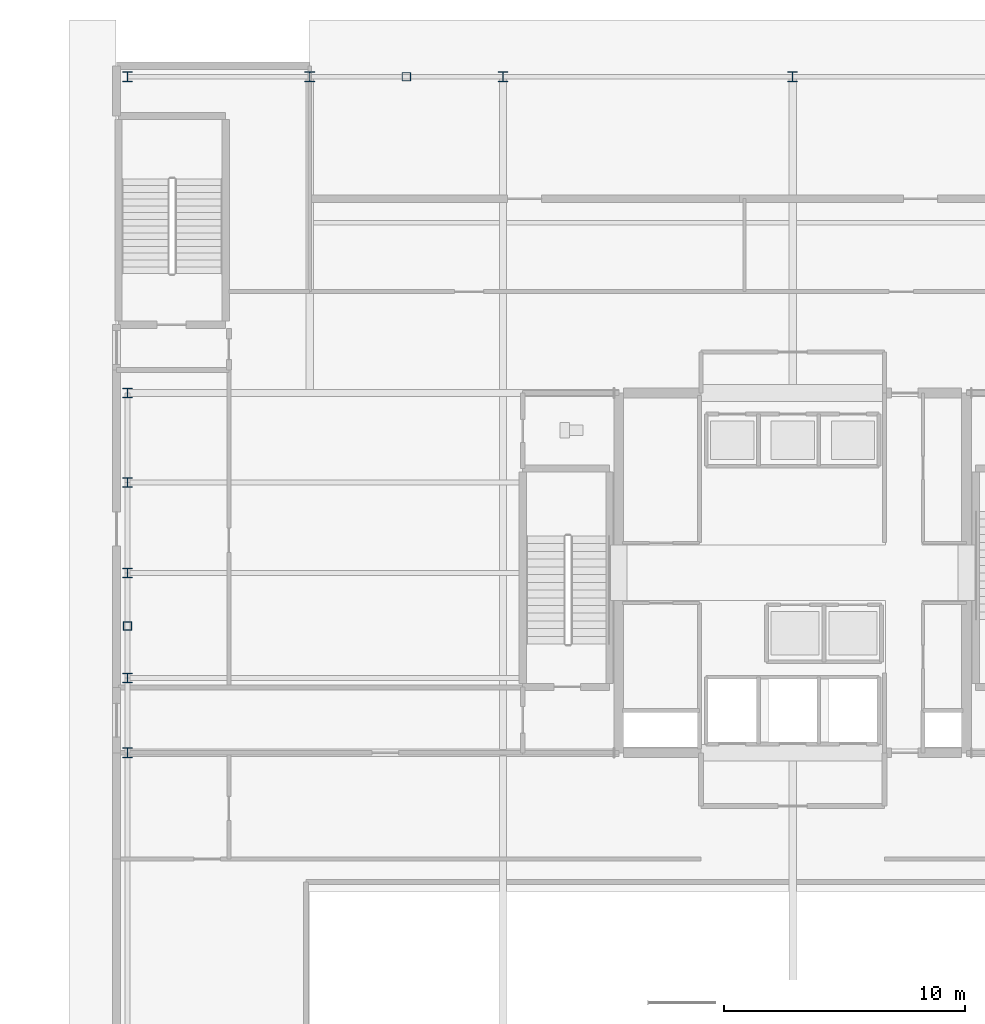
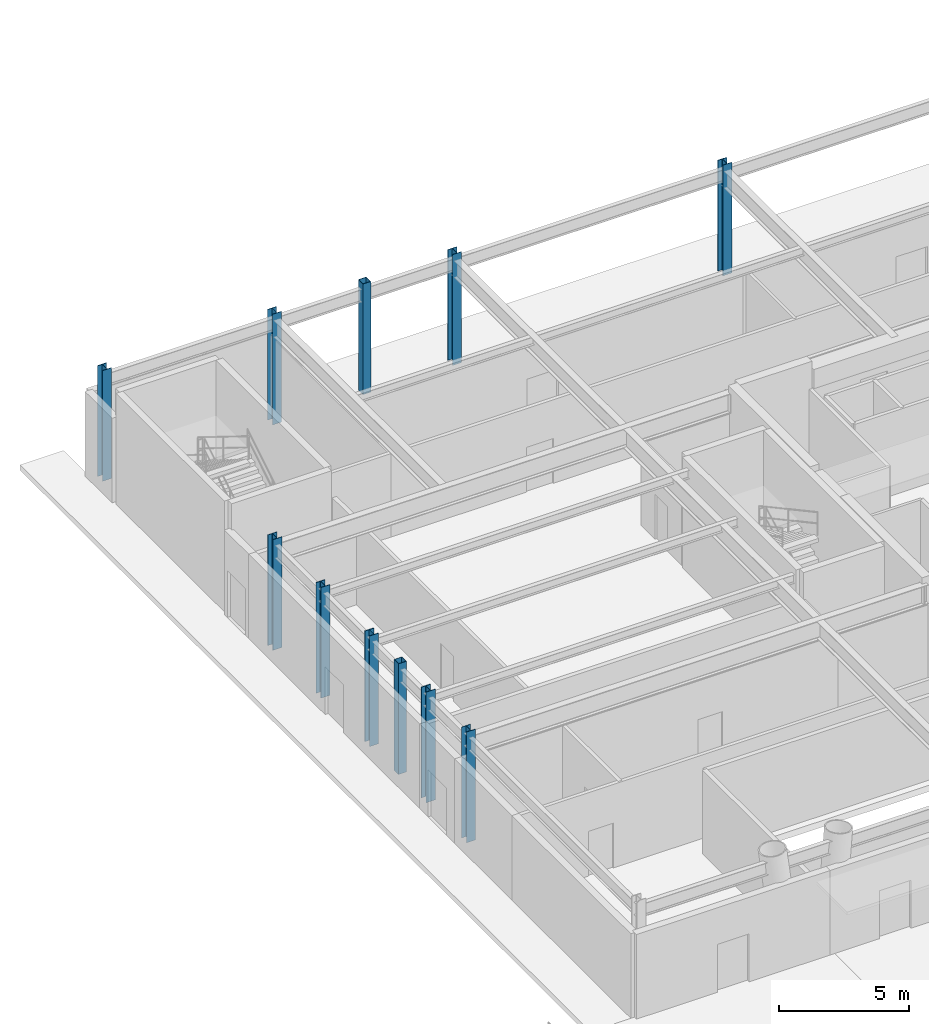
# One storey, part 3 of 19: 11 columns.
"""IFC4 building model written with IfcOpenShell, lengths in metres."""

from ifc_helpers import new_model, si_unit, direction, frame, origin, origin_2d, place, context, subcontext, project, spatial, hollow_rectangle, i_section, extrude, material, material_profile, profile_set, type_object, element, save


model = new_model("IFC4")

# Units and contexts
model_context = context("Model", 3, precision=1e-05, world=origin(), true_north=direction((0.0, 1.0)))
body_context = subcontext(model_context, "Body", "Model", "MODEL_VIEW")
ifc_project = project(units=[si_unit("LENGTHUNIT", "METRE"), si_unit("AREAUNIT", "SQUARE_METRE"), si_unit("VOLUMEUNIT", "CUBIC_METRE"), si_unit("PLANEANGLEUNIT", "RADIAN"), si_unit("MASSUNIT", "GRAM", prefix="KILO")], contexts=[model_context])

# Site, building, storey
site_placement = place(None, origin())
site = spatial("IfcSite", under=ifc_project, at=site_placement, CompositionType="ELEMENT")
building_placement = place(site_placement, origin())
building = spatial("IfcBuilding", under=site, at=building_placement, Name="Veldorina Hangang Commons", CompositionType="ELEMENT")
storey_placement = place(building_placement, origin())
storey = spatial("IfcBuildingStorey", under=building, at=storey_placement, Name="L00", CompositionType="ELEMENT", Elevation=0.0)

# Columns
ifc_material_1 = material(Name="Steel SM460-TMC", Category="steel")
ifc_material_profile_1 = material_profile(ifc_material_1, i_section(OverallWidth=0.39990234375, OverallDepth=0.39990234375, WebThickness=0.012939453125, FlangeThickness=0.02099609375, FilletRadius=0.01806640625, at=origin_2d()), Name="H-400x400x13x21")
ifc_profile_set_1 = profile_set([ifc_material_profile_1], Name="Steel SM460-TMC")
column_type_1 = type_object("IfcColumnType", Name="COL-H400", PredefinedType="COLUMN", material=ifc_profile_set_1)
for number, where, z_axis, x_axis, name in (
    (1, (4.449951171875, 44.550048828125, 0.0), (0.0, 0.0, 1.0), (1.0, 0.0, 0.0), "L00 structural column N1"),
    (2, (12.0, 44.550048828125, 0.0), (0.0, 0.0, 1.0), (1.0, 0.0, 0.0), "L00 structural column N2"),
    (3, (20.0, 44.550048828125, 0.0), (0.0, 0.0, 1.0), (1.0, 0.0, 0.0), "L00 structural column N3"),
    (4, (32.0, 44.550048828125, 0.0), (0.0, 0.0, 1.0), (1.0, 0.0, 0.0), "L00 structural column N4"),
    (5, (4.449951171875, 16.550048828125, 0.0), (0.0, 0.0, 1.0), (1.0, 0.0, 0.0), "L00 structural column W1"),
    (6, (4.449951171875, 19.64990234375, 0.0), (0.0, 0.0, 1.0), (1.0, 0.0, 0.0), "L00 structural column W2"),
    (7, (4.449951171875, 24.0, 0.0), (0.0, 0.0, 1.0), (1.0, 0.0, 0.0), "L00 structural column W3"),
    (8, (4.449951171875, 27.75, 0.0), (0.0, 0.0, 1.0), (1.0, 0.0, 0.0), "L00 structural column W4"),
    (9, (4.449951171875, 31.449951171875, 0.0), (0.0, 0.0, 1.0), (1.0, 0.0, 0.0), "L00 structural column W5"),
):
    element("IfcColumn", number, at=place(storey_placement, frame(where, z_axis=z_axis, x_axis=x_axis)), inside=storey, type_object=column_type_1, Name=name, PredefinedType="COLUMN", context=body_context, shape_type="SweptSolid", body=[
        extrude(i_section(OverallWidth=0.39990234375, OverallDepth=0.39990234375, WebThickness=0.012939453125, FlangeThickness=0.02099609375, FilletRadius=0.01806640625, at=origin_2d()), origin(), (0.0, 0.0, 1.0), 5.199951171875),
    ])
ifc_material_2 = material(Name="Steel SM355-TMC", Category="steel")
ifc_material_profile_2 = material_profile(ifc_material_2, hollow_rectangle(XDim=0.35009765625, YDim=0.35009765625, WallThickness=0.01611328125, at=origin_2d()), Name="SHS-350x350x16")
ifc_profile_set_2 = profile_set([ifc_material_profile_2], Name="Steel SM355-TMC")
column_type_2 = type_object("IfcColumnType", Name="COL-PIL-350", PredefinedType="PILASTER", material=ifc_profile_set_2)
for number, where, z_axis, x_axis, name in (
    (10, (16.0, 44.550048828125, 0.0), (0.0, 0.0, 1.0), (1.0, 0.0, 0.0), "L00 rationalist colonnade pilaster 1"),
    (11, (4.449951171875, 21.800048828125, 0.0), (0.0, 0.0, 1.0), (1.0, 0.0, 0.0), "L00 rationalist colonnade pilaster 3"),
):
    element("IfcColumn", number, at=place(storey_placement, frame(where, z_axis=z_axis, x_axis=x_axis)), inside=storey, type_object=column_type_2, Name=name, PredefinedType="PILASTER", context=body_context, shape_type="SweptSolid", body=[
        extrude(hollow_rectangle(XDim=0.35009765625, YDim=0.35009765625, WallThickness=0.01611328125, at=origin_2d()), origin(), (0.0, 0.0, 1.0), 5.199951171875),
    ])

save(model, "model.ifc")
